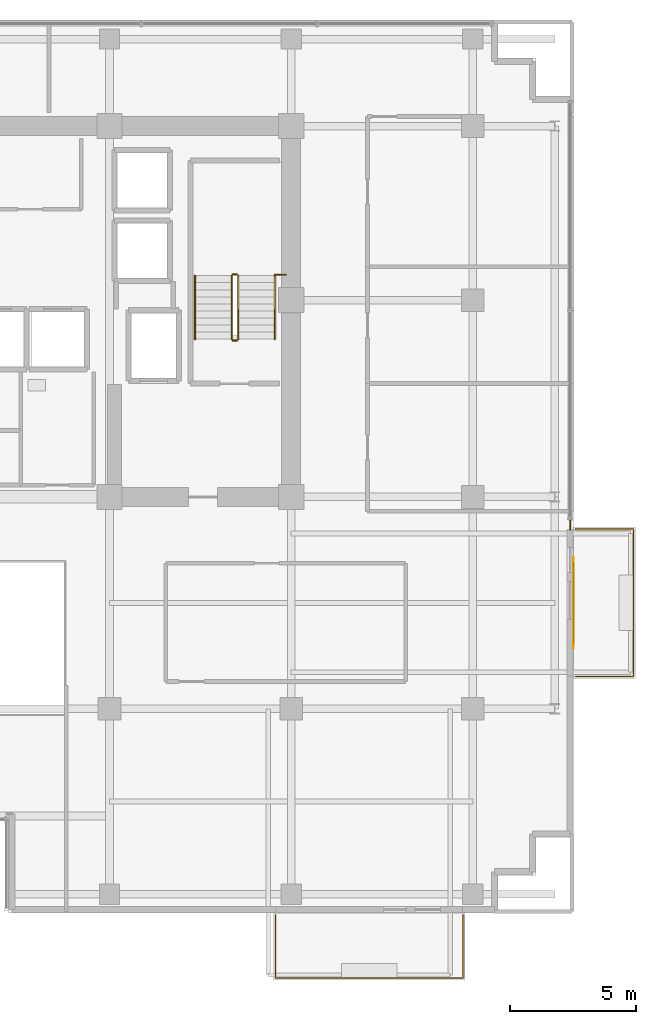
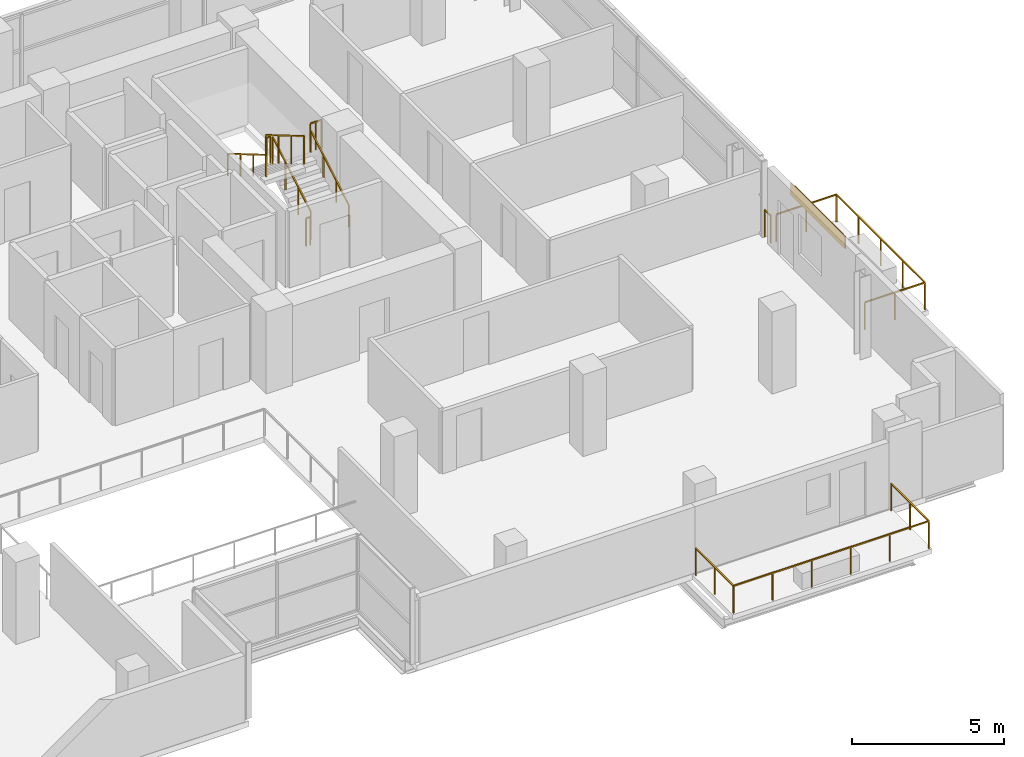
# One storey, part 24 of 25: 10 railings, 1 covering, 1 shading device.
"""IFC4 building model written with IfcOpenShell, lengths in metres."""

import ifcopenshell
import ifcopenshell.guid

model = None  # the IFC model being written
_history = None  # IfcOwnerHistory: only IFC2X3 demands one
_inside = {}  # id of a spatial element -> (the spatial element, [elements in it])
_under = {}  # id of a project, library or spatial element -> (it, [spatial elements below it])
_declared = {}  # id of a project -> (the project, [libraries it declares])
_typed = {}  # id of a type object -> (the type object, [elements of that type])
_made_of = {}  # id of a material, layer set ... -> (it, [elements and type objects made of it])


def new_model(schema):
    """Start an empty IFC model of exactly this schema.

    Asked for "IFC4X3", IfcOpenShell would pick the latest addendum, in which some entities
    have other attributes; the version numbers below select the first issue.
    IFC2X3 requires an IfcOwnerHistory on every rooted entity: one is made here for all.
    """
    global model, _history
    if schema == "IFC4X3":
        model = ifcopenshell.file(schema_version=(4, 3, 0, 0))
    else:
        model = ifcopenshell.file(schema=schema)
    _inside.clear()
    _under.clear()
    _declared.clear()
    _typed.clear()
    _made_of.clear()
    _history = None
    if model.schema == "IFC2X3":
        org = make("IfcOrganization", Name="unknown")
        user = make(
            "IfcPersonAndOrganization",
            ThePerson=make("IfcPerson", FamilyName="unknown"),
            TheOrganization=org,
        )
        app = make(
            "IfcApplication",
            ApplicationDeveloper=org,
            Version="unknown",
            ApplicationFullName="unknown",
            ApplicationIdentifier="unknown",
        )
        _history = make(
            "IfcOwnerHistory",
            OwningUser=user,
            OwningApplication=app,
            ChangeAction="ADDED",
            CreationDate=0,
        )
    return model


def make(cls, **values):
    """One entity of the class cls with the attributes given. An attribute that is None is left unset."""
    return model.create_entity(
        cls, **{name: value for name, value in values.items() if value is not None}
    )


def rooted(cls, **values):
    """An entity with a GlobalId (a new one), such as an element, a storey or a relation."""
    return make(cls, GlobalId=ifcopenshell.guid.new(), OwnerHistory=_history, **values)


def si_unit(unit_type, name, prefix=None):
    """IfcSIUnit, for example si_unit("LENGTHUNIT", "METRE", prefix="MILLI")."""
    return make("IfcSIUnit", UnitType=unit_type, Prefix=prefix, Name=name)


def assignment(units):
    """IfcUnitAssignment: the units of a project."""
    return None if units is None else make("IfcUnitAssignment", Units=units)


def point(xyz):
    """IfcCartesianPoint."""
    return None if xyz is None else make("IfcCartesianPoint", Coordinates=xyz)


def direction(xyz):
    """IfcDirection."""
    return None if xyz is None else make("IfcDirection", DirectionRatios=xyz)


def frame(location, z_axis=None, x_axis=None):
    """IfcAxis2Placement3D, a coordinate frame: its origin and axes. An axis left out is left unset."""
    return make(
        "IfcAxis2Placement3D",
        Location=point(location),
        Axis=direction(z_axis),
        RefDirection=direction(x_axis),
    )


def frame_2d(location, x_axis=None):
    """IfcAxis2Placement2D, a coordinate frame in the plane: its origin and x axis."""
    return make(
        "IfcAxis2Placement2D", Location=point(location), RefDirection=direction(x_axis)
    )


def origin():
    """The frame at (0, 0, 0) with its axes left unset."""
    return frame((0.0, 0.0, 0.0))


def origin_2d():
    """The frame at (0, 0) in the plane with its x axis left unset."""
    return frame_2d((0.0, 0.0))


def place(relative_to, where):
    """IfcLocalPlacement: puts the frame where relative to a parent placement (None: the world)."""
    return make(
        "IfcLocalPlacement", PlacementRelTo=relative_to, RelativePlacement=where
    )


def context(
    kind, dimensions, precision=None, world=None, true_north=None, identifier=None
):
    """IfcGeometricRepresentationContext, for example the 3D "Model" context."""
    return make(
        "IfcGeometricRepresentationContext",
        ContextIdentifier=identifier,
        ContextType=kind,
        CoordinateSpaceDimension=dimensions,
        Precision=precision,
        WorldCoordinateSystem=world,
        TrueNorth=true_north,
    )


def subcontext(parent, identifier, kind, view, scale=None):
    """IfcGeometricRepresentationSubContext, for example "Body" below "Model"."""
    return make(
        "IfcGeometricRepresentationSubContext",
        ContextIdentifier=identifier,
        ContextType=kind,
        ParentContext=parent,
        TargetScale=scale,
        TargetView=view,
    )


def project(units=None, contexts=None):
    """IfcProject with its units and contexts."""
    return rooted(
        "IfcProject",
        Name="project",
        RepresentationContexts=contexts,
        UnitsInContext=assignment(units),
    )


def spatial(cls, under=None, at=None, **own):
    """A site, building, storey or space (cls), placed at a placement, below another one or the project."""
    s = rooted(cls, ObjectPlacement=at, **own)
    if under is not None:
        _under.setdefault(under.id(), (under, []))[1].append(s)
    return s


def profile(cls, at=None, kind="AREA", **sizes):
    """A parametric profile (cls). Its sizes go by their IFC names, for example OverallWidth=200.0."""
    return make(cls, ProfileType=kind, Position=at, **sizes)


def rectangle(**sizes):
    """IfcRectangleProfileDef."""
    return profile("IfcRectangleProfileDef", **sizes)


def extrude(swept, where, along, depth):
    """IfcExtrudedAreaSolid: the profile swept, set in the frame where, extruded along a direction by depth."""
    return make(
        "IfcExtrudedAreaSolid",
        SweptArea=swept,
        Position=where,
        ExtrudedDirection=direction(along),
        Depth=depth,
    )


def shape(context_of_items, identifier, shape_type, items):
    """IfcShapeRepresentation: the items that make up one representation, for example the "Body"."""
    return make(
        "IfcShapeRepresentation",
        ContextOfItems=context_of_items,
        RepresentationIdentifier=identifier,
        RepresentationType=shape_type,
        Items=items,
    )


def source(mapping_origin, context_of_items, identifier, shape_type, items):
    """IfcRepresentationMap: a shape defined once, which mapped items show again and again."""
    return make(
        "IfcRepresentationMap",
        MappingOrigin=mapping_origin,
        MappedRepresentation=shape(context_of_items, identifier, shape_type, items),
    )


def transform(
    local_origin,
    x_axis=None,
    y_axis=None,
    z_axis=None,
    scale=None,
    scale2=None,
    scale3=None,
    uniform=True,
):
    """IfcCartesianTransformationOperator3D, or its non-uniform kind. x_axis, y_axis, z_axis: its Axis1, 2, 3."""
    if uniform:
        return make(
            "IfcCartesianTransformationOperator3D",
            Axis1=direction(x_axis),
            Axis2=direction(y_axis),
            LocalOrigin=point(local_origin),
            Scale=scale,
            Axis3=direction(z_axis),
        )
    return make(
        "IfcCartesianTransformationOperator3DnonUniform",
        Axis1=direction(x_axis),
        Axis2=direction(y_axis),
        LocalOrigin=point(local_origin),
        Scale=scale,
        Axis3=direction(z_axis),
        Scale2=scale2,
        Scale3=scale3,
    )


def mapped(mapping_source, mapping_target):
    """IfcMappedItem: shows the shape of a source again, moved by a transform."""
    return make(
        "IfcMappedItem", MappingSource=mapping_source, MappingTarget=mapping_target
    )


def material(Name=None, Category=None):
    """IfcMaterial."""
    return make("IfcMaterial", Name=Name, Category=Category)


def layer(
    of_material, thickness, ventilated=None, Name=None, Category=None, Priority=None
):
    """IfcMaterialLayer: one layer of a wall or slab, of a material (None: an air gap)."""
    return make(
        "IfcMaterialLayer",
        Material=of_material,
        LayerThickness=thickness,
        IsVentilated=ventilated,
        Name=Name,
        Category=Category,
        Priority=Priority,
    )


def layer_set(layers, Name=None):
    """IfcMaterialLayerSet."""
    return make("IfcMaterialLayerSet", MaterialLayers=layers, LayerSetName=Name)


def made_of(thing, what):
    """Note that an element or type object is made of a material, layer set ...; save() writes the relation."""
    if what is not None:
        _made_of.setdefault(what.id(), (what, []))[1].append(thing)
    return thing


def type_object(cls, material=None, **own):
    """A type object (cls), such as IfcWallType, which elements share."""
    return made_of(rooted(cls, **own), material)


def element(
    cls,
    number,
    at=None,
    inside=None,
    cuts=None,
    type_object=None,
    material=None,
    context=None,
    identifier="Body",
    shape_type=None,
    held_by="IfcProductDefinitionShape",
    body=None,
    shapes=None,
    **own,
):
    """One element of the class cls, such as IfcWall. Its Tag is "e" and its number.

    at: its placement. inside: the storey or other place that contains it. cuts: it is an
    opening in that element (IfcRelVoidsElement). A single representation is given by context,
    identifier, shape_type and body (its items); several are given by shapes. held_by: the class
    of the entity that holds the representations. save() writes the other relations.
    """
    e = rooted(cls, Tag="e%d" % number, ObjectPlacement=at, **own)
    if body is not None:
        shapes = [shape(context, identifier, shape_type, body)]
    if shapes is not None:
        e.Representation = make(held_by, Representations=shapes)
    if inside is not None:
        _inside.setdefault(inside.id(), (inside, []))[1].append(e)
    if cuts is not None:
        rooted(
            "IfcRelVoidsElement", RelatingBuildingElement=cuts, RelatedOpeningElement=e
        )
    if type_object is not None:
        _typed.setdefault(type_object.id(), (type_object, []))[1].append(e)
    return made_of(e, material)


def aggregate(whole, parts):
    """IfcRelAggregates: a whole, such as a stair, and the parts it consists of."""
    return rooted("IfcRelAggregates", RelatingObject=whole, RelatedObjects=parts)


def save(model, path):
    """Write the relations noted so far, then the file.

    IfcRelAggregates (storeys below a building ...), IfcRelContainedInSpatialStructure (elements
    in a storey), IfcRelDefinesByType, IfcRelAssociatesMaterial and IfcRelDeclares: one each for
    every whole, place, type object, material and project.
    """
    for whole, parts in _under.values():
        aggregate(whole, parts)
    for where, things in _inside.values():
        rooted(
            "IfcRelContainedInSpatialStructure",
            RelatedElements=things,
            RelatingStructure=where,
        )
    for kind, things in _typed.values():
        rooted("IfcRelDefinesByType", RelatedObjects=things, RelatingType=kind)
    for what, things in _made_of.values():
        rooted("IfcRelAssociatesMaterial", RelatedObjects=things, RelatingMaterial=what)
    for by, libraries in _declared.values():
        rooted("IfcRelDeclares", RelatingContext=by, RelatedDefinitions=libraries)
    model.write(path)


model = new_model("IFC4")

# Units and contexts
model_context = context("Model", 3, precision=1e-05, world=origin(), true_north=direction((0.0, 1.0)))
body_context = subcontext(model_context, "Body", "Model", "MODEL_VIEW")
ifc_project = project(units=[si_unit("LENGTHUNIT", "METRE"), si_unit("AREAUNIT", "SQUARE_METRE"), si_unit("VOLUMEUNIT", "CUBIC_METRE"), si_unit("PLANEANGLEUNIT", "RADIAN"), si_unit("MASSUNIT", "GRAM", prefix="KILO")], contexts=[model_context])

# Site, building, storey
site_placement = place(None, origin())
site = spatial("IfcSite", under=ifc_project, at=site_placement, CompositionType="ELEMENT")
building_placement = place(site_placement, origin())
building = spatial("IfcBuilding", under=site, at=building_placement, Name="Zarnakvel Exchange Tower", CompositionType="ELEMENT")
storey_placement = place(building_placement, frame((0.0, 0.0, 100.0)))
storey = spatial("IfcBuildingStorey", under=building, at=storey_placement, Name="L27", CompositionType="ELEMENT", Elevation=100.0)

# Railings
ifc_material_1 = material(Name="Architectural Bronze Anodised Aluminium", Category="aluminium")
railing_type_1 = type_object("IfcRailingType", Name="GR-02", PredefinedType="GUARDRAIL", material=ifc_material_1)
railing_1_placement = place(storey_placement, frame((13.780029296875, -17.780029296875, -0.034912109375)))
element("IfcRailing", 1, at=railing_1_placement, inside=storey, type_object=railing_type_1, Name="L27 Balcony Guardrail BAL-L27-SE", PredefinedType="GUARDRAIL", context=body_context, shape_type="SweptSolid", body=[
    extrude(rectangle(XDim=0.048095703125, YDim=0.048095703125, at=origin_2d()), frame((0.0, 0.0, 1.09619140625), z_axis=(0.0, -1.0, 0.0), x_axis=(1.0, 0.0, 0.0)), (0.0, 0.0, 1.0), 2.489990234375),
    extrude(rectangle(XDim=0.048095703125, YDim=0.048095703125, at=origin_2d()), frame((0.0, -2.489990234375, 1.09619140625), z_axis=(1.0, 0.0, 0.0), x_axis=(0.0, 1.0, 0.0)), (0.0, 0.0, 1.0), 7.43994140625),
    extrude(rectangle(XDim=0.048095703125, YDim=0.048095703125, at=origin_2d()), frame((7.43994140625, -2.489990234375, 1.09619140625), z_axis=(0.0, 1.0, 0.0), x_axis=(-1.0, 0.0, 0.0)), (0.0, 0.0, 1.0), 2.489990234375),
    extrude(rectangle(XDim=0.0419921875, YDim=0.0419921875, at=origin_2d()), origin(), (0.0, 0.0, 1.0), 1.072021484375),
    extrude(rectangle(XDim=0.0419921875, YDim=0.0419921875, at=origin_2d()), frame((0.0, -1.2451171875, 0.0)), (0.0, 0.0, 1.0), 1.072021484375),
    extrude(rectangle(XDim=0.0419921875, YDim=0.0419921875, at=origin_2d()), frame((0.0, -2.489990234375, 0.0)), (0.0, 0.0, 1.0), 1.072021484375),
    extrude(rectangle(XDim=0.0419921875, YDim=0.0419921875, at=origin_2d()), frame((1.488037109375, -2.489990234375, 0.0)), (0.0, 0.0, 1.0), 1.072021484375),
    extrude(rectangle(XDim=0.0419921875, YDim=0.0419921875, at=origin_2d()), frame((2.97607421875, -2.489990234375, 0.0)), (0.0, 0.0, 1.0), 1.072021484375),
    extrude(rectangle(XDim=0.0419921875, YDim=0.0419921875, at=origin_2d()), frame((4.4638671875, -2.489990234375, 0.0)), (0.0, 0.0, 1.0), 1.072021484375),
    extrude(rectangle(XDim=0.0419921875, YDim=0.0419921875, at=origin_2d()), frame((5.951904296875, -2.489990234375, 0.0)), (0.0, 0.0, 1.0), 1.072021484375),
    extrude(rectangle(XDim=0.0419921875, YDim=0.0419921875, at=origin_2d()), frame((7.43994140625, -2.489990234375, 0.0)), (0.0, 0.0, 1.0), 1.072021484375),
    extrude(rectangle(XDim=0.0419921875, YDim=0.0419921875, at=origin_2d()), frame((7.43994140625, -1.2451171875, 0.0)), (0.0, 0.0, 1.0), 1.072021484375),
    extrude(rectangle(XDim=0.0419921875, YDim=0.0419921875, at=origin_2d()), frame((7.43994140625, 0.0, 0.0)), (0.0, 0.0, 1.0), 1.072021484375),
])
railing_2_placement = place(storey_placement, frame((25.679931640625, -8.320068359375, -0.034912109375)))
element("IfcRailing", 2, at=railing_2_placement, inside=storey, type_object=railing_type_1, Name="L27 Balcony Guardrail BAL-L27-E", PredefinedType="GUARDRAIL", context=body_context, shape_type="SweptSolid", body=[
    extrude(rectangle(XDim=0.048095703125, YDim=0.048095703125, at=origin_2d()), frame((0.0, 0.0, 1.09619140625), z_axis=(1.0, 0.0, 0.0), x_axis=(0.0, 1.0, 0.0)), (0.0, 0.0, 1.0), 2.2900390625),
    extrude(rectangle(XDim=0.048095703125, YDim=0.048095703125, at=origin_2d()), frame((2.2900390625, 0.0, 1.09619140625), z_axis=(0.0, 1.0, 0.0), x_axis=(-1.0, 0.0, 0.0)), (0.0, 0.0, 1.0), 5.840087890625),
    extrude(rectangle(XDim=0.048095703125, YDim=0.048095703125, at=origin_2d()), frame((2.2900390625, 5.840087890625, 1.09619140625), z_axis=(-1.0, 0.0, 0.0), x_axis=(0.0, -1.0, 0.0)), (0.0, 0.0, 1.0), 2.2900390625),
    extrude(rectangle(XDim=0.0419921875, YDim=0.0419921875, at=origin_2d()), origin(), (0.0, 0.0, 1.0), 1.072021484375),
    extrude(rectangle(XDim=0.0419921875, YDim=0.0419921875, at=origin_2d()), frame((1.14501953125, 0.0, 0.0)), (0.0, 0.0, 1.0), 1.072021484375),
    extrude(rectangle(XDim=0.0419921875, YDim=0.0419921875, at=origin_2d()), frame((2.2900390625, 0.0, 0.0)), (0.0, 0.0, 1.0), 1.072021484375),
    extrude(rectangle(XDim=0.0419921875, YDim=0.0419921875, at=origin_2d()), frame((2.2900390625, 1.4599609375, 0.0)), (0.0, 0.0, 1.0), 1.072021484375),
    extrude(rectangle(XDim=0.0419921875, YDim=0.0419921875, at=origin_2d()), frame((2.2900390625, 2.919921875, 0.0)), (0.0, 0.0, 1.0), 1.072021484375),
    extrude(rectangle(XDim=0.0419921875, YDim=0.0419921875, at=origin_2d()), frame((2.2900390625, 4.380126953125, 0.0)), (0.0, 0.0, 1.0), 1.072021484375),
    extrude(rectangle(XDim=0.0419921875, YDim=0.0419921875, at=origin_2d()), frame((2.2900390625, 5.840087890625, 0.0)), (0.0, 0.0, 1.0), 1.072021484375),
    extrude(rectangle(XDim=0.0419921875, YDim=0.0419921875, at=origin_2d()), frame((1.14501953125, 5.840087890625, 0.0)), (0.0, 0.0, 1.0), 1.072021484375),
    extrude(rectangle(XDim=0.0419921875, YDim=0.0419921875, at=origin_2d()), frame((0.0, 5.840087890625, 0.0)), (0.0, 0.0, 1.0), 1.072021484375),
])
railing_3_placement = place(storey_placement, frame((25.4599609375, -2.10009765625, 0.0)))
element("IfcRailing", 3, at=railing_3_placement, inside=storey, type_object=railing_type_1, Name="L27 Corner Spandrel Balustrade #9", PredefinedType="GUARDRAIL", context=body_context, shape_type="SweptSolid", body=[
    extrude(rectangle(XDim=0.048095703125, YDim=0.048095703125, at=origin_2d()), frame((0.0, 0.0, 1.09619140625), z_axis=(0.0, -1.0, 0.0), x_axis=(1.0, 0.0, 0.0)), (0.0, 0.0, 1.0), 0.39990234375),
    extrude(rectangle(XDim=0.0419921875, YDim=0.0419921875, at=origin_2d()), origin(), (0.0, 0.0, 1.0), 1.072021484375),
    extrude(rectangle(XDim=0.0419921875, YDim=0.0419921875, at=origin_2d()), frame((0.0, -0.39990234375, 0.0)), (0.0, 0.0, 1.0), 1.072021484375),
])
ifc_material_2 = material(Name="Brushed Stainless Steel", Category="steel")
railing_type_2 = type_object("IfcRailingType", Name="HR-01", PredefinedType="HANDRAIL", material=ifc_material_2)
railing_4_placement = place(storey_placement, frame((13.75, 5.050048828125, 0.1650390625)))
element("IfcRailing", 4, at=railing_4_placement, inside=storey, type_object=railing_type_2, Name="L27 ST-02 stair handrail 1", PredefinedType="HANDRAIL", context=body_context, shape_type="SweptSolid", body=[
    extrude(rectangle(XDim=0.048095703125, YDim=0.048095703125, at=origin_2d()), frame((0.0, 0.0, 0.8759765625), z_axis=(0.0, 0.861560626758, 0.507654692109), x_axis=(-1.0, 0.0, 0.0)), (0.0, 0.0, 1.0), 2.925048828125),
    extrude(rectangle(XDim=0.0419921875, YDim=0.0419921875, at=origin_2d()), origin(), (0.0, 0.0, 1.0), 0.851806640625),
    extrude(rectangle(XDim=0.0419921875, YDim=0.0419921875, at=origin_2d()), frame((0.0, 0.840087890625, 0.494873046875)), (0.0, 0.0, 1.0), 0.851806640625),
    extrude(rectangle(XDim=0.0419921875, YDim=0.0419921875, at=origin_2d()), frame((0.0, 1.679931640625, 0.989990234375)), (0.0, 0.0, 1.0), 0.851806640625),
    extrude(rectangle(XDim=0.0419921875, YDim=0.0419921875, at=origin_2d()), frame((0.0, 2.52001953125, 1.48486328125)), (0.0, 0.0, 1.0), 0.851806640625),
])
railing_5_placement = place(storey_placement, frame((10.590087890625, 7.570068359375, 1.81494140625)))
element("IfcRailing", 5, at=railing_5_placement, inside=storey, type_object=railing_type_2, Name="L27 ST-02 stair handrail 2", PredefinedType="HANDRAIL", context=body_context, shape_type="SweptSolid", body=[
    extrude(rectangle(XDim=0.048095703125, YDim=0.048095703125, at=origin_2d()), frame((0.0, 0.0, 0.8759765625), z_axis=(0.0, -0.86152411907, 0.507716645641), x_axis=(1.0, 0.0, 0.0)), (0.0, 0.0, 1.0), 2.925048828125),
    extrude(rectangle(XDim=0.0419921875, YDim=0.0419921875, at=origin_2d()), origin(), (0.0, 0.0, 1.0), 0.851806640625),
    extrude(rectangle(XDim=0.0419921875, YDim=0.0419921875, at=origin_2d()), frame((0.0, -0.840087890625, 0.4951171875)), (0.0, 0.0, 1.0), 0.851806640625),
    extrude(rectangle(XDim=0.0419921875, YDim=0.0419921875, at=origin_2d()), frame((0.0, -1.679931640625, 0.989990234375)), (0.0, 0.0, 1.0), 0.851806640625),
    extrude(rectangle(XDim=0.0419921875, YDim=0.0419921875, at=origin_2d()), frame((0.0, -2.52001953125, 1.485107421875)), (0.0, 0.0, 1.0), 0.851806640625),
])
railing_type_3 = type_object("IfcRailingType", Name="SG-01", PredefinedType="GUARDRAIL", material=ifc_material_1)
railing_6_placement = place(storey_placement, frame((12.300048828125, 5.050048828125, 0.1650390625)))
element("IfcRailing", 6, at=railing_6_placement, inside=storey, type_object=railing_type_3, Name="L27 ST-02 stair guard 1", PredefinedType="GUARDRAIL", context=body_context, shape_type="SweptSolid", body=[
    extrude(rectangle(XDim=0.048095703125, YDim=0.048095703125, at=origin_2d()), frame((0.0, 0.0, 1.1259765625), z_axis=(0.0, 0.861560626758, 0.507654692109), x_axis=(-1.0, 0.0, 0.0)), (0.0, 0.0, 1.0), 2.925048828125),
    extrude(rectangle(XDim=0.0419921875, YDim=0.0419921875, at=origin_2d()), origin(), (0.0, 0.0, 1.0), 1.101806640625),
    extrude(rectangle(XDim=0.0419921875, YDim=0.0419921875, at=origin_2d()), frame((0.0, 0.840087890625, 0.494873046875)), (0.0, 0.0, 1.0), 1.101806640625),
    extrude(rectangle(XDim=0.0419921875, YDim=0.0419921875, at=origin_2d()), frame((0.0, 1.679931640625, 0.989990234375)), (0.0, 0.0, 1.0), 1.101806640625),
    extrude(rectangle(XDim=0.0419921875, YDim=0.0419921875, at=origin_2d()), frame((0.0, 2.52001953125, 1.48486328125)), (0.0, 0.0, 1.0), 1.101806640625),
])
railing_7_placement = place(storey_placement, frame((12.25, 7.6201171875, 1.64990234375)))
element("IfcRailing", 7, at=railing_7_placement, inside=storey, type_object=railing_type_3, Name="L27 ST-02 stair guard 2", PredefinedType="GUARDRAIL", context=body_context, shape_type="SweptSolid", body=[
    extrude(rectangle(XDim=0.048095703125, YDim=0.048095703125, at=origin_2d()), frame((0.0, 0.0, 1.1259765625), z_axis=(-1.0, 0.0, 0.0), x_axis=(0.0, -1.0, 0.0)), (0.0, 0.0, 1.0), 0.159912109375),
    extrude(rectangle(XDim=0.0419921875, YDim=0.0419921875, at=origin_2d()), origin(), (0.0, 0.0, 1.0), 1.101806640625),
    extrude(rectangle(XDim=0.0419921875, YDim=0.0419921875, at=origin_2d()), frame((-0.159912109375, 0.0, 0.0)), (0.0, 0.0, 1.0), 1.101806640625),
])
railing_8_placement = place(storey_placement, frame((12.0400390625, 7.570068359375, 1.81494140625)))
element("IfcRailing", 8, at=railing_8_placement, inside=storey, type_object=railing_type_3, Name="L27 ST-02 stair guard 3", PredefinedType="GUARDRAIL", context=body_context, shape_type="SweptSolid", body=[
    extrude(rectangle(XDim=0.048095703125, YDim=0.048095703125, at=origin_2d()), frame((0.0, 0.0, 1.1259765625), z_axis=(0.0, -0.86152411907, 0.507716645641), x_axis=(1.0, 0.0, 0.0)), (0.0, 0.0, 1.0), 2.925048828125),
    extrude(rectangle(XDim=0.0419921875, YDim=0.0419921875, at=origin_2d()), origin(), (0.0, 0.0, 1.0), 1.101806640625),
    extrude(rectangle(XDim=0.0419921875, YDim=0.0419921875, at=origin_2d()), frame((0.0, -0.840087890625, 0.4951171875)), (0.0, 0.0, 1.0), 1.101806640625),
    extrude(rectangle(XDim=0.0419921875, YDim=0.0419921875, at=origin_2d()), frame((0.0, -1.679931640625, 0.989990234375)), (0.0, 0.0, 1.0), 1.101806640625),
    extrude(rectangle(XDim=0.0419921875, YDim=0.0419921875, at=origin_2d()), frame((0.0, -2.52001953125, 1.485107421875)), (0.0, 0.0, 1.0), 1.101806640625),
])
railing_9_placement = place(storey_placement, frame((12.25, 5.0, 0.0)))
element("IfcRailing", 9, at=railing_9_placement, inside=storey, type_object=railing_type_3, Name="L27 ST-02 stair guard 4", PredefinedType="GUARDRAIL", context=body_context, shape_type="SweptSolid", body=[
    extrude(rectangle(XDim=0.048095703125, YDim=0.048095703125, at=origin_2d()), frame((0.0, 0.0, 1.1259765625), z_axis=(-1.0, 0.0, 0.0), x_axis=(0.0, -1.0, 0.0)), (0.0, 0.0, 1.0), 0.159912109375),
    extrude(rectangle(XDim=0.0419921875, YDim=0.0419921875, at=origin_2d()), origin(), (0.0, 0.0, 1.0), 1.101806640625),
    extrude(rectangle(XDim=0.0419921875, YDim=0.0419921875, at=origin_2d()), frame((-0.159912109375, 0.0, 0.0)), (0.0, 0.0, 1.0), 1.101806640625),
])
railing_10_placement = place(storey_placement, frame((13.75, 7.610107421875, 1.64990234375)))
element("IfcRailing", 10, at=railing_10_placement, inside=storey, type_object=railing_type_3, Name="L27 ST-02 Landing Slot Guardrail", PredefinedType="GUARDRAIL", context=body_context, shape_type="SweptSolid", body=[
    extrude(rectangle(XDim=0.048095703125, YDim=0.048095703125, at=origin_2d()), frame((0.0, 0.0, 1.1259765625), z_axis=(1.0, 0.0, 0.0), x_axis=(0.0, 1.0, 0.0)), (0.0, 0.0, 1.0), 0.429931640625),
    extrude(rectangle(XDim=0.0419921875, YDim=0.0419921875, at=origin_2d()), origin(), (0.0, 0.0, 1.0), 1.101806640625),
    extrude(rectangle(XDim=0.0419921875, YDim=0.0419921875, at=origin_2d()), frame((0.21484375, 0.0, 0.0)), (0.0, 0.0, 1.0), 1.101806640625),
    extrude(rectangle(XDim=0.0419921875, YDim=0.0419921875, at=origin_2d()), frame((0.429931640625, 0.0, 0.0)), (0.0, 0.0, 1.0), 1.101806640625),
])

# Shading device
ifc_material_3 = material(Name="Perforated Architectural Bronze Screen", Category="aluminium")
ifc_layer_1 = layer(ifc_material_3, 0.044921875)
ifc_layer_set_1 = layer_set([ifc_layer_1], Name="Perforated Architectural Bronze Screen")
shading_device_type = type_object("IfcShadingDeviceType", Name="SS-01", PredefinedType="JALOUSIE", material=ifc_layer_set_1)
shared_shape_1 = source(origin(), body_context, "Body", "SweptSolid", [
    extrude(rectangle(XDim=3.199951171875, YDim=0.044921875, at=origin_2d()), origin(), (0.0, 0.0, 1.0), 0.4951171875),
])
shading_device_placement = place(storey_placement, frame((25.6005859375, -5.39990234375, 2.56005859375), z_axis=(0.0, 0.0, 1.0), x_axis=(0.0, -1.0, 0.0)))
element("IfcShadingDevice", 11, at=shading_device_placement, inside=storey, type_object=shading_device_type, Name="L27 Bronze Solar Shading Screen SS-01", PredefinedType="JALOUSIE", context=body_context, shape_type="MappedRepresentation", body=[
    mapped(shared_shape_1, transform((0.0, 0.0, 0.0), x_axis=(1.0, 0.0, 0.0), y_axis=(0.0, 1.0, 0.0), z_axis=(0.0, 0.0, 1.0), scale=1.0)),
])

# Covering
ifc_material_4 = material(Name="Glazed Turquoise Ceramic Architectural Tile", Category="ceramic")
ifc_layer_2 = layer(ifc_material_4, 0.028076171875)
ifc_layer_set_2 = layer_set([ifc_layer_2], Name="Glazed Turquoise Ceramic Architectural Tile")
covering_type = type_object("IfcCoveringType", Name="CL-01", PredefinedType="CLADDING", material=ifc_layer_set_2)
shared_shape_2 = source(origin(), body_context, "Body", "SweptSolid", [
    extrude(rectangle(XDim=3.60009765625, YDim=0.028076171875, at=origin_2d()), origin(), (0.0, 0.0, 1.0), 0.4951171875),
])
covering_placement = place(storey_placement, frame((25.592041015625, -5.39990234375, 2.56005859375), z_axis=(0.0, 0.0, 1.0), x_axis=(0.0, -1.0, 0.0)))
element("IfcCovering", 12, at=covering_placement, inside=storey, type_object=covering_type, Name="L27 Ceramic Spandrel Tilework CL-01", PredefinedType="CLADDING", context=body_context, shape_type="MappedRepresentation", body=[
    mapped(shared_shape_2, transform((0.0, 0.0, 0.0), x_axis=(1.0, 0.0, 0.0), y_axis=(0.0, 1.0, 0.0), z_axis=(0.0, 0.0, 1.0), scale=1.0)),
])

save(model, "model.ifc")
